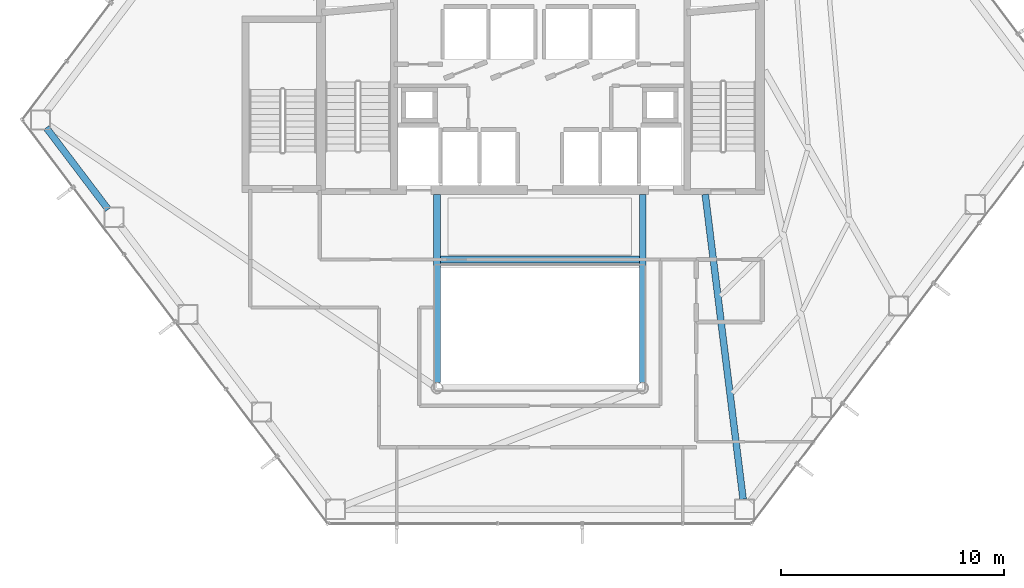
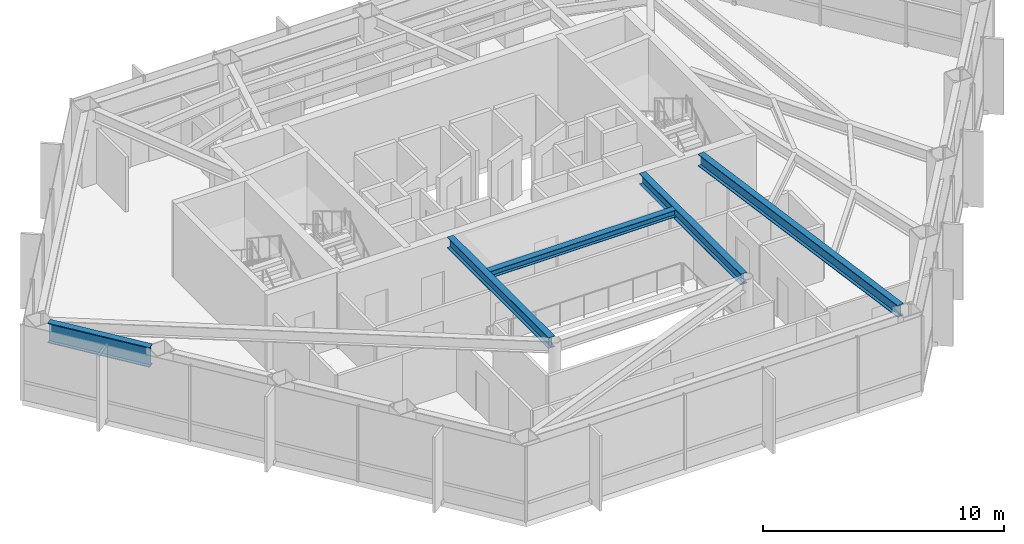
# One storey, part 9 of 24: 5 beams.
"""IFC4 building model written with IfcOpenShell, lengths in metres."""

from ifc_helpers import new_model, si_unit, direction, frame, origin, origin_2d, place, context, subcontext, project, spatial, i_section, extrude, material, material_profile, profile_set, type_object, element, save


model = new_model("IFC4")

# Units and contexts
model_context = context("Model", 3, precision=1e-05, world=origin(), true_north=direction((0.0, 1.0)))
body_context = subcontext(model_context, "Body", "Model", "MODEL_VIEW")
ifc_project = project(units=[si_unit("LENGTHUNIT", "METRE"), si_unit("AREAUNIT", "SQUARE_METRE"), si_unit("VOLUMEUNIT", "CUBIC_METRE"), si_unit("PLANEANGLEUNIT", "RADIAN"), si_unit("MASSUNIT", "GRAM", prefix="KILO")], contexts=[model_context])

# Site, building, storey
site_placement = place(None, origin())
site = spatial("IfcSite", under=ifc_project, at=site_placement, CompositionType="ELEMENT")
building_placement = place(site_placement, origin())
building = spatial("IfcBuilding", under=site, at=building_placement, Name="Zarrinselat Tower", CompositionType="ELEMENT")
storey_placement = place(building_placement, frame((0.0, 0.0, 100.97998046875)))
storey = spatial("IfcBuildingStorey", under=building, at=storey_placement, Name="L24", CompositionType="ELEMENT", Elevation=100.97998046875)

# Beams
ifc_material_1 = material(Name="Steel S355J2", Category="steel")
ifc_material_profile_1 = material_profile(ifc_material_1, i_section(OverallWidth=0.300048828125, OverallDepth=0.35009765625, WebThickness=0.010009765625, FlangeThickness=0.017578125, at=origin_2d()), Name="HEA 360")
ifc_profile_set_1 = profile_set([ifc_material_profile_1], Name="Steel S355J2")
beam_type_1 = type_object("IfcBeamType", Name="BM-HEA360", PredefinedType="LINTEL", material=ifc_profile_set_1)
beam_1_placement = place(storey_placement, frame((33.93994140625, 30.14990234375, 3.64501953125), z_axis=(1.0, 0.0, 0.0), x_axis=(0.0, 1.0, 0.0)))
element("IfcBeam", 1, at=beam_1_placement, inside=storey, type_object=beam_type_1, Name="L24 Lift Lobby Ceiling Beam", PredefinedType="LINTEL", context=body_context, shape_type="SweptSolid", body=[
    extrude(i_section(OverallWidth=0.300048828125, OverallDepth=0.35009765625, WebThickness=0.010009765625, FlangeThickness=0.017578125, at=origin_2d()), origin(), (0.0, 0.0, 1.0), 8.920166015625),
])
ifc_material_2 = material(Name="Steel S355J2", Category="steel")
ifc_material_profile_2 = material_profile(ifc_material_2, i_section(OverallWidth=0.300048828125, OverallDepth=0.550048828125, WebThickness=0.014892578125, FlangeThickness=0.029052734375, at=origin_2d()), Name="HEB 550")
ifc_profile_set_2 = profile_set([ifc_material_profile_2], Name="Steel S355J2")
beam_type_2 = type_object("IfcBeamType", Name="BM-HEB550", PredefinedType="BEAM", material=ifc_profile_set_2)
for number, where, z_axis, x_axis, name in (
    (2, (33.800048828125, 24.639892578125, 3.544921875), (0.0, 1.0, 0.0), (-1.0, 0.0, 0.0), "L24 Atrium Edge Beam W"),
    (3, (43.0, 24.639892578125, 3.544921875), (0.0, 1.0, 0.0), (-1.0, 0.0, 0.0), "L24 Atrium Edge Beam E"),
):
    element("IfcBeam", number, at=place(storey_placement, frame(where, z_axis=z_axis, x_axis=x_axis)), inside=storey, type_object=beam_type_2, Name=name, PredefinedType="BEAM", context=body_context, shape_type="SweptSolid", body=[
        extrude(i_section(OverallWidth=0.300048828125, OverallDepth=0.550048828125, WebThickness=0.014892578125, FlangeThickness=0.029052734375, at=origin_2d()), origin(), (0.0, 0.0, 1.0), 8.420166015625),
    ])
ifc_material_3 = material(Name="Steel S355J2", Category="steel")
ifc_material_profile_3 = material_profile(ifc_material_3, i_section(OverallWidth=0.300048828125, OverallDepth=0.60009765625, WebThickness=0.015380859375, FlangeThickness=0.030029296875, at=origin_2d()), Name="HEB 600")
ifc_profile_set_3 = profile_set([ifc_material_profile_3], Name="Steel S355J2")
beam_type_3 = type_object("IfcBeamType", Name="BM-HEB600", PredefinedType="BEAM", material=ifc_profile_set_3)
beam_2_placement = place(storey_placement, frame((45.800048828125, 33.06005859375, 3.52001953125), z_axis=(0.12335899827, -0.992362110092, 0.0), x_axis=(0.992362110092, 0.12335899827, 0.0)))
element("IfcBeam", 4, at=beam_2_placement, inside=storey, type_object=beam_type_3, Name="L24 Radial Primary Girder RG11", PredefinedType="BEAM", context=body_context, shape_type="SweptSolid", body=[
    extrude(i_section(OverallWidth=0.300048828125, OverallDepth=0.60009765625, WebThickness=0.015380859375, FlangeThickness=0.030029296875, at=origin_2d()), origin(), (0.0, 0.0, 1.0), 13.740966796875),
])
ifc_material_4 = material(Name="Steel S460M", Category="steel")
ifc_material_profile_4 = material_profile(ifc_material_4, i_section(OverallWidth=0.302001953125, OverallDepth=1.008056640625, WebThickness=0.02099609375, FlangeThickness=0.0400390625, at=origin_2d()), Name="HEM 1000")
ifc_profile_set_4 = profile_set([ifc_material_profile_4], Name="Steel S460M")
beam_type_4 = type_object("IfcBeamType", Name="BM-HEM1000", PredefinedType="BEAM", material=ifc_profile_set_4)
beam_3_placement = place(storey_placement, frame((16.31640625, 36.046875, 3.31591796875), z_axis=(0.603833098178, -0.797110776206, 0.0), x_axis=(0.797110776206, 0.603833098178, 0.0)))
element("IfcBeam", 5, at=beam_3_placement, inside=storey, type_object=beam_type_4, Name="L24 Perimeter Spandrel Girder SP06", PredefinedType="BEAM", context=body_context, shape_type="SweptSolid", body=[
    extrude(i_section(OverallWidth=0.302001953125, OverallDepth=1.008056640625, WebThickness=0.02099609375, FlangeThickness=0.0400390625, at=origin_2d()), origin(), (0.0, 0.0, 1.0), 4.587890625),
])

save(model, "model.ifc")
